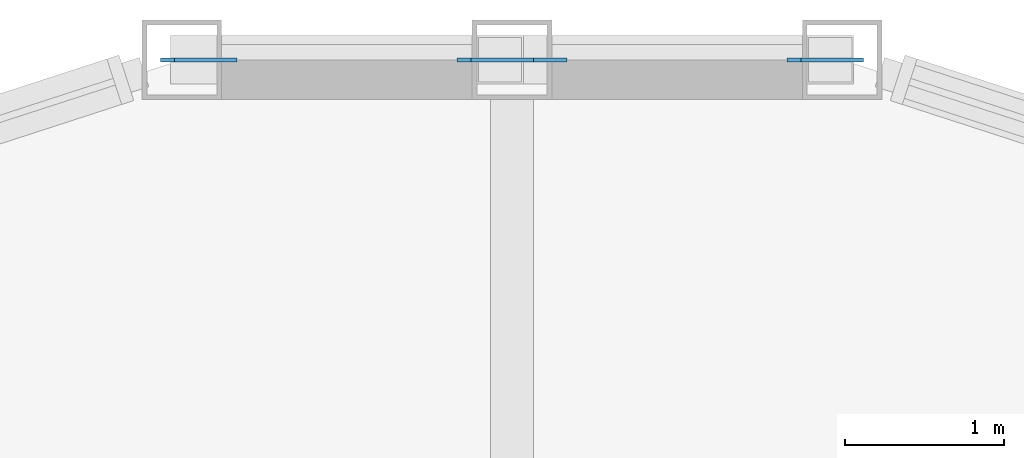
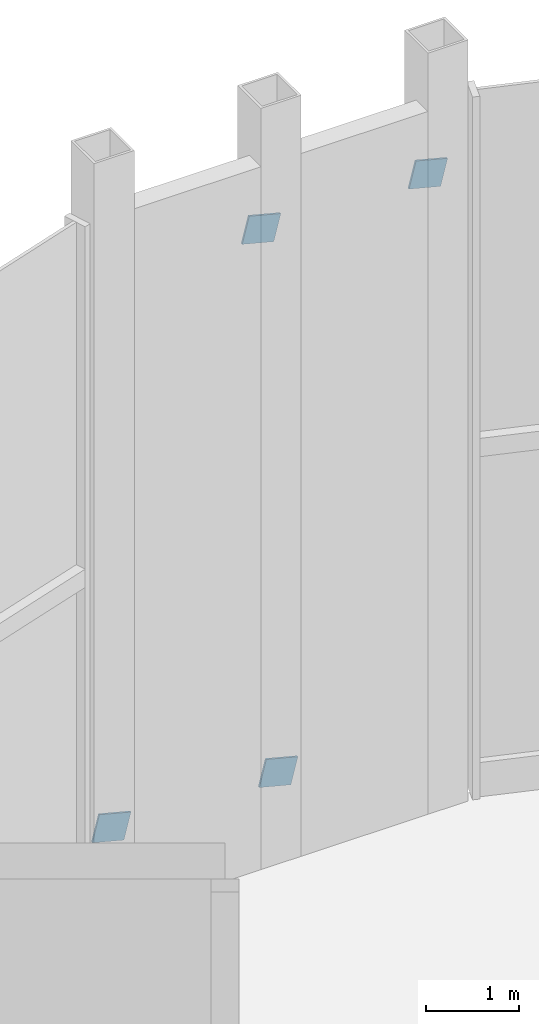
# One storey, part 14 of 18: 4 discrete accessories.
"""IFC4 building model written with IfcOpenShell, lengths in metres."""

from ifc_helpers import new_model, si_unit, direction, frame, origin, origin_2d, place, context, subcontext, project, spatial, rectangle, extrude, material, material_profile, profile_set, type_object, element, save


model = new_model("IFC4")

# Units and contexts
model_context = context("Model", 3, precision=1e-05, world=origin(), true_north=direction((0.0, 1.0)))
body_context = subcontext(model_context, "Body", "Model", "MODEL_VIEW")
ifc_project = project(units=[si_unit("LENGTHUNIT", "METRE"), si_unit("AREAUNIT", "SQUARE_METRE"), si_unit("VOLUMEUNIT", "CUBIC_METRE"), si_unit("PLANEANGLEUNIT", "RADIAN"), si_unit("MASSUNIT", "GRAM", prefix="KILO")], contexts=[model_context])

# Site, building, storey
site_placement = place(None, origin())
site = spatial("IfcSite", under=ifc_project, at=site_placement, CompositionType="ELEMENT")
building_placement = place(site_placement, origin())
building = spatial("IfcBuilding", under=site, at=building_placement, Name="Cormorant Prow Tower", CompositionType="ELEMENT")
storey_placement = place(building_placement, frame((0.0, 0.0, 405.199951171875)))
storey = spatial("IfcBuildingStorey", under=building, at=storey_placement, Name="L93", CompositionType="ELEMENT", Elevation=405.199951171875)

# Discrete accessories
ifc_material = material(Name="Structural steel ASTM A500 Gr C", Category="steel")
ifc_material_profile = material_profile(ifc_material, rectangle(XDim=0.02490234375, YDim=0.405029296875, at=origin_2d()), Name="Gusset plate 25x405")
ifc_profile_set = profile_set([ifc_material_profile], Name="Structural steel ASTM A500 Gr C")
discrete_accessory_type = type_object("IfcDiscreteAccessoryType", Name="Gusset plate 25x405", PredefinedType="BRACKET", material=ifc_profile_set)
for number, where, z_axis, x_axis, name in (
    (1, (0.14990234375, 31.219482421875, 1.180908203125), (-0.249751422624, 0.0, -0.968309984921), (0.0, -1.0, 0.0), "Gusset plate GP3 L93.N00.g0"),
    (2, (1.923828125, 31.219482421875, 8.052978515625), (0.249751422624, 0.0, 0.968309984921), (0.0, 1.0, 0.0), "Gusset plate GP3 L93.N00.g1"),
    (3, (-1.923828125, 31.219482421875, 1.180908203125), (-0.249751422624, 0.0, -0.968309984921), (0.0, -1.0, 0.0), "Gusset plate GP3 L93.N01.g0"),
    (4, (-0.14990234375, 31.219482421875, 8.052978515625), (0.249751422624, 0.0, 0.968309984921), (0.0, 1.0, 0.0), "Gusset plate GP3 L93.N01.g1"),
):
    element("IfcDiscreteAccessory", number, at=place(storey_placement, frame(where, z_axis=z_axis, x_axis=x_axis)), inside=storey, type_object=discrete_accessory_type, Name=name, PredefinedType="BRACKET", context=body_context, shape_type="SweptSolid", body=[
        extrude(rectangle(XDim=0.02490234375, YDim=0.405029296875, at=origin_2d()), origin(), (0.0, 0.0, 1.0), 0.349853515625),
    ])

save(model, "model.ifc")
